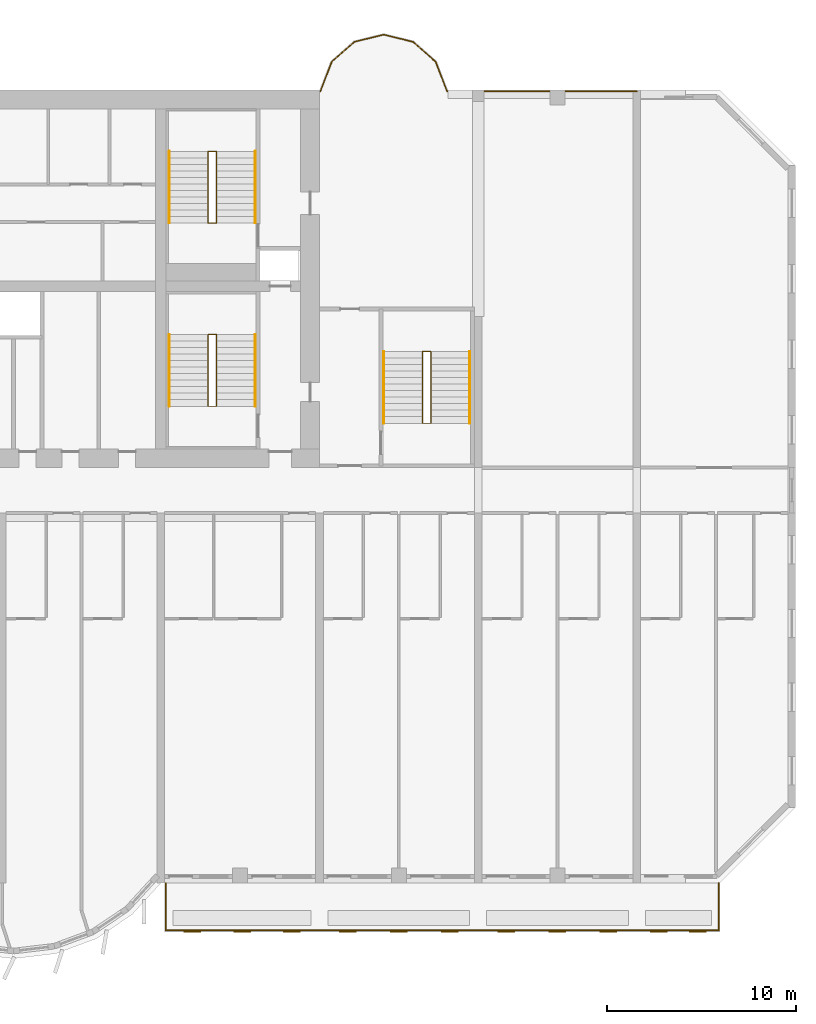
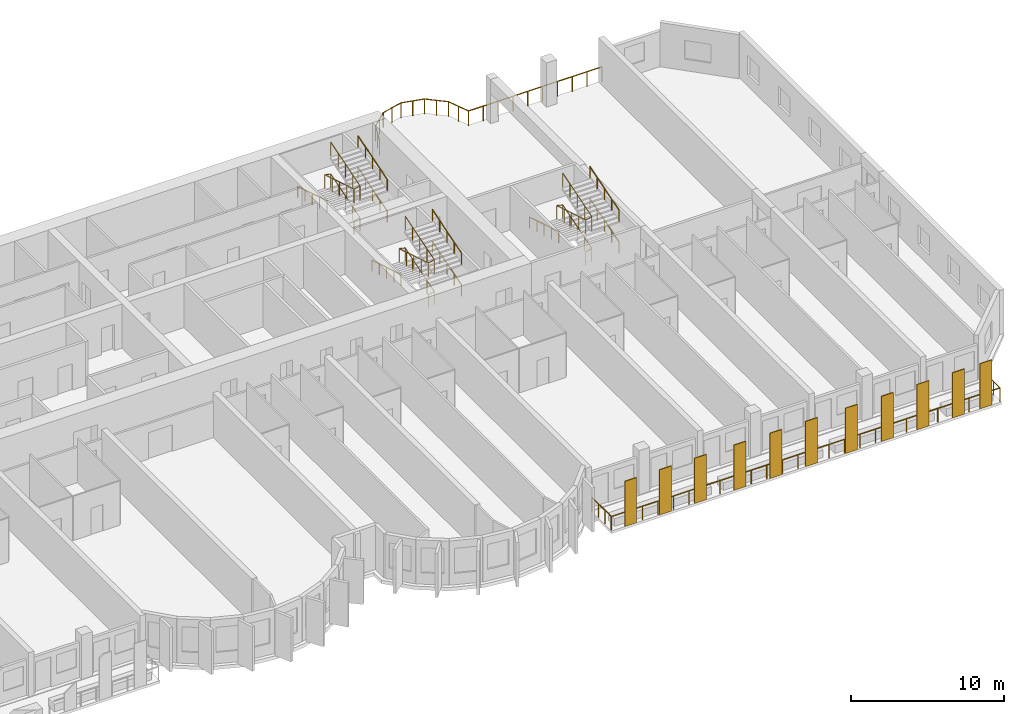
# One storey, part 13 of 14: 14 railings, 11 coverings.
"""IFC4 building model written with IfcOpenShell, lengths in metres."""

from ifc_helpers import new_model, si_unit, direction, frame, origin, origin_2d, place, context, subcontext, project, spatial, rectangle, circle, extrude, source, transform, mapped, material, layer, layer_set, type_object, element, save


model = new_model("IFC4")

# Units and contexts
model_context = context("Model", 3, precision=1e-05, world=origin(), true_north=direction((0.0, 1.0)))
body_context = subcontext(model_context, "Body", "Model", "MODEL_VIEW")
ifc_project = project(units=[si_unit("LENGTHUNIT", "METRE"), si_unit("AREAUNIT", "SQUARE_METRE"), si_unit("VOLUMEUNIT", "CUBIC_METRE"), si_unit("PLANEANGLEUNIT", "RADIAN"), si_unit("MASSUNIT", "GRAM", prefix="KILO")], contexts=[model_context])

# Site, building, storey
site_placement = place(None, origin())
site = spatial("IfcSite", under=ifc_project, at=site_placement, CompositionType="ELEMENT")
building_placement = place(site_placement, origin())
building = spatial("IfcBuilding", under=site, at=building_placement, Name="Vanashikhar Sky Hotel", CompositionType="ELEMENT")
storey_placement = place(building_placement, frame((0.0, 0.0, 58.199951171875)))
storey = spatial("IfcBuildingStorey", under=building, at=storey_placement, Name="L13", CompositionType="ELEMENT", Elevation=58.199951171875)

# Railing
ifc_material_1 = material(Name="Stainless steel 316", Category="steel")
railing_type_1 = type_object("IfcRailingType", Name="Balcony guard 1100", PredefinedType="GUARDRAIL", material=ifc_material_1)
shared_shape_1 = source(origin(), body_context, "Body", "SweptSolid", [
    extrude(circle(Radius=0.02392578125, at=origin_2d()), frame((0.0, 0.0, 1.076171875), z_axis=(0.0, -1.0, 0.0), x_axis=(1.0, 0.0, 0.0)), (0.0, 0.0, 1.0), 2.5),
    extrude(circle(Radius=0.02392578125, at=origin_2d()), frame((0.0, -2.5, 1.076171875), z_axis=(1.0, 0.0, 0.0), x_axis=(0.0, 1.0, 0.0)), (0.0, 0.0, 1.0), 29.280029296875),
    extrude(circle(Radius=0.02392578125, at=origin_2d()), frame((29.280029296875, -2.5, 1.076171875), z_axis=(0.0, 1.0, 0.0), x_axis=(-1.0, 0.0, 0.0)), (0.0, 0.0, 1.0), 2.5),
    extrude(circle(Radius=0.02099609375, at=origin_2d()), origin(), (0.0, 0.0, 1.0), 1.052001953125),
    extrude(circle(Radius=0.02099609375, at=origin_2d()), frame((0.0, -0.833251953125, 0.0)), (0.0, 0.0, 1.0), 1.052001953125),
    extrude(circle(Radius=0.02099609375, at=origin_2d()), frame((0.0, -1.666748046875, 0.0)), (0.0, 0.0, 1.0), 1.052001953125),
    extrude(circle(Radius=0.02099609375, at=origin_2d()), frame((0.0, -2.5, 0.0)), (0.0, 0.0, 1.0), 1.052001953125),
    extrude(circle(Radius=0.02099609375, at=origin_2d()), frame((1.171142578125, -2.5, 0.0)), (0.0, 0.0, 1.0), 1.052001953125),
    extrude(circle(Radius=0.02099609375, at=origin_2d()), frame((2.34228515625, -2.5, 0.0)), (0.0, 0.0, 1.0), 1.052001953125),
    extrude(circle(Radius=0.02099609375, at=origin_2d()), frame((3.513671875, -2.5, 0.0)), (0.0, 0.0, 1.0), 1.052001953125),
    extrude(circle(Radius=0.02099609375, at=origin_2d()), frame((4.684814453125, -2.5, 0.0)), (0.0, 0.0, 1.0), 1.052001953125),
    extrude(circle(Radius=0.02099609375, at=origin_2d()), frame((5.85595703125, -2.5, 0.0)), (0.0, 0.0, 1.0), 1.052001953125),
    extrude(circle(Radius=0.02099609375, at=origin_2d()), frame((7.027099609375, -2.5, 0.0)), (0.0, 0.0, 1.0), 1.052001953125),
    extrude(circle(Radius=0.02099609375, at=origin_2d()), frame((8.198486328125, -2.5, 0.0)), (0.0, 0.0, 1.0), 1.052001953125),
    extrude(circle(Radius=0.02099609375, at=origin_2d()), frame((9.36962890625, -2.5, 0.0)), (0.0, 0.0, 1.0), 1.052001953125),
    extrude(circle(Radius=0.02099609375, at=origin_2d()), frame((10.540771484375, -2.5, 0.0)), (0.0, 0.0, 1.0), 1.052001953125),
    extrude(circle(Radius=0.02099609375, at=origin_2d()), frame((11.7119140625, -2.5, 0.0)), (0.0, 0.0, 1.0), 1.052001953125),
    extrude(circle(Radius=0.02099609375, at=origin_2d()), frame((12.88330078125, -2.5, 0.0)), (0.0, 0.0, 1.0), 1.052001953125),
    extrude(circle(Radius=0.02099609375, at=origin_2d()), frame((14.054443359375, -2.5, 0.0)), (0.0, 0.0, 1.0), 1.052001953125),
    extrude(circle(Radius=0.02099609375, at=origin_2d()), frame((15.2255859375, -2.5, 0.0)), (0.0, 0.0, 1.0), 1.052001953125),
    extrude(circle(Radius=0.02099609375, at=origin_2d()), frame((16.396728515625, -2.5, 0.0)), (0.0, 0.0, 1.0), 1.052001953125),
    extrude(circle(Radius=0.02099609375, at=origin_2d()), frame((17.568115234375, -2.5, 0.0)), (0.0, 0.0, 1.0), 1.052001953125),
    extrude(circle(Radius=0.02099609375, at=origin_2d()), frame((18.7392578125, -2.5, 0.0)), (0.0, 0.0, 1.0), 1.052001953125),
    extrude(circle(Radius=0.02099609375, at=origin_2d()), frame((19.910400390625, -2.5, 0.0)), (0.0, 0.0, 1.0), 1.052001953125),
    extrude(circle(Radius=0.02099609375, at=origin_2d()), frame((21.08154296875, -2.5, 0.0)), (0.0, 0.0, 1.0), 1.052001953125),
    extrude(circle(Radius=0.02099609375, at=origin_2d()), frame((22.2529296875, -2.5, 0.0)), (0.0, 0.0, 1.0), 1.052001953125),
    extrude(circle(Radius=0.02099609375, at=origin_2d()), frame((23.424072265625, -2.5, 0.0)), (0.0, 0.0, 1.0), 1.052001953125),
    extrude(circle(Radius=0.02099609375, at=origin_2d()), frame((24.59521484375, -2.5, 0.0)), (0.0, 0.0, 1.0), 1.052001953125),
    extrude(circle(Radius=0.02099609375, at=origin_2d()), frame((25.766357421875, -2.5, 0.0)), (0.0, 0.0, 1.0), 1.052001953125),
    extrude(circle(Radius=0.02099609375, at=origin_2d()), frame((26.937744140625, -2.5, 0.0)), (0.0, 0.0, 1.0), 1.052001953125),
    extrude(circle(Radius=0.02099609375, at=origin_2d()), frame((28.10888671875, -2.5, 0.0)), (0.0, 0.0, 1.0), 1.052001953125),
    extrude(circle(Radius=0.02099609375, at=origin_2d()), frame((29.280029296875, -2.5, 0.0)), (0.0, 0.0, 1.0), 1.052001953125),
    extrude(circle(Radius=0.02099609375, at=origin_2d()), frame((29.280029296875, -1.666748046875, 0.0)), (0.0, 0.0, 1.0), 1.052001953125),
    extrude(circle(Radius=0.02099609375, at=origin_2d()), frame((29.280029296875, -0.833251953125, 0.0)), (0.0, 0.0, 1.0), 1.052001953125),
    extrude(circle(Radius=0.02099609375, at=origin_2d()), frame((29.280029296875, 0.0, 0.0)), (0.0, 0.0, 1.0), 1.052001953125),
])
railing_1_placement = place(storey_placement, frame((67.4599609375, 0.0, -0.050048828125)))
element("IfcRailing", 1, at=railing_1_placement, inside=storey, type_object=railing_type_1, Name="Balcony guard", PredefinedType="GUARDRAIL", context=body_context, shape_type="MappedRepresentation", body=[
    mapped(shared_shape_1, transform((0.0, 0.0, 0.0), scale=1.0)),
])

# Coverings
ifc_material_2 = material(Name="Terracotta", Category="masonry")
ifc_layer = layer(ifc_material_2, 0.06005859375)
ifc_layer_set = layer_set([ifc_layer], Name="Terracotta baguette screen")
covering_type = type_object("IfcCoveringType", Name="Terracotta baguette screen", PredefinedType="CLADDING", material=ifc_layer_set)
shared_shape_2 = source(origin(), body_context, "Body", "SweptSolid", [
    extrude(rectangle(XDim=0.89990234375, YDim=0.06005859375, at=origin_2d()), origin(), (0.0, 0.0, 1.0), 3.60009765625),
])
for number, where, z_axis, x_axis, name in (
    (2, (68.86669921875, -2.570068359375, -0.050048828125), (0.0, 0.0, 1.0), (1.0, 0.0, 0.0), "Terracotta screen"),
    (3, (71.5, -2.570068359375, -0.050048828125), (0.0, 0.0, 1.0), (1.0, 0.0, 0.0), "Terracotta screen"),
    (4, (74.13330078125, -2.570068359375, -0.050048828125), (0.0, 0.0, 1.0), (1.0, 0.0, 0.0), "Terracotta screen"),
    (5, (77.10009765625, -2.570068359375, -0.050048828125), (0.0, 0.0, 1.0), (1.0, 0.0, 0.0), "Terracotta screen"),
    (6, (79.800048828125, -2.570068359375, -0.050048828125), (0.0, 0.0, 1.0), (1.0, 0.0, 0.0), "Terracotta screen"),
    (7, (82.5, -2.570068359375, -0.050048828125), (0.0, 0.0, 1.0), (1.0, 0.0, 0.0), "Terracotta screen"),
    (8, (85.5, -2.570068359375, -0.050048828125), (0.0, 0.0, 1.0), (1.0, 0.0, 0.0), "Terracotta screen"),
    (9, (88.199951171875, -2.570068359375, -0.050048828125), (0.0, 0.0, 1.0), (1.0, 0.0, 0.0), "Terracotta screen"),
    (10, (90.89990234375, -2.570068359375, -0.050048828125), (0.0, 0.0, 1.0), (1.0, 0.0, 0.0), "Terracotta screen"),
    (11, (93.574951171875, -2.570068359375, -0.050048828125), (0.0, 0.0, 1.0), (1.0, 0.0, 0.0), "Terracotta screen"),
    (12, (95.625, -2.570068359375, -0.050048828125), (0.0, 0.0, 1.0), (1.0, 0.0, 0.0), "Terracotta screen"),
):
    element("IfcCovering", number, at=place(storey_placement, frame(where, z_axis=z_axis, x_axis=x_axis)), inside=storey, type_object=covering_type, Name=name, PredefinedType="CLADDING", context=body_context, shape_type="MappedRepresentation", body=[
        mapped(shared_shape_2, transform((0.0, 0.0, 0.0), scale=1.0)),
    ])

# Railings
railing_type_2 = type_object("IfcRailingType", Name="Refuge terrace guard 1200", PredefinedType="GUARDRAIL", material=ifc_material_1)
shared_shape_3 = source(origin(), body_context, "Body", "SweptSolid", [
    extrude(circle(Radius=0.02392578125, at=origin_2d()), frame((0.0, 0.0, 1.17578125), z_axis=(-1.0, 0.0, 0.0), x_axis=(0.0, -1.0, 0.0)), (0.0, 0.0, 1.0), 10.048095703125),
    extrude(circle(Radius=0.02392578125, at=origin_2d()), frame((-10.048095703125, 0.0, 1.17578125), z_axis=(-0.357682612009, 0.933843214392, 0.0), x_axis=(-0.933843214392, -0.357682612009, 0.0)), (0.0, 0.0, 1.0), 1.666015625),
    extrude(circle(Radius=0.02392578125, at=origin_2d()), frame((-10.64404296875, 1.555908203125, 1.17578125), z_axis=(-0.749699987355, 0.661777854692, 0.0), x_axis=(-0.661777854692, -0.749699987355, 0.0)), (0.0, 0.0, 1.0), 1.602294921875),
    extrude(circle(Radius=0.02392578125, at=origin_2d()), frame((-11.84521484375, 2.6162109375, 1.17578125), z_axis=(-0.971138901218, 0.238514642196, 0.0), x_axis=(-0.238514642196, -0.971138901218, 0.0)), (0.0, 0.0, 1.0), 1.600830078125),
    extrude(circle(Radius=0.02392578125, at=origin_2d()), frame((-13.39990234375, 2.998046875, 1.17578125), z_axis=(-0.971138901218, -0.238514642196, 0.0), x_axis=(0.238514642196, -0.971138901218, 0.0)), (0.0, 0.0, 1.0), 1.600830078125),
    extrude(circle(Radius=0.02392578125, at=origin_2d()), frame((-14.95458984375, 2.6162109375, 1.17578125), z_axis=(-0.749699987355, -0.661777854692, 0.0), x_axis=(0.661777854692, -0.749699987355, 0.0)), (0.0, 0.0, 1.0), 1.602294921875),
    extrude(circle(Radius=0.02392578125, at=origin_2d()), frame((-16.15576171875, 1.555908203125, 1.17578125), z_axis=(-0.357682612009, -0.933843214392, 0.0), x_axis=(0.933843214392, -0.357682612009, 0.0)), (0.0, 0.0, 1.0), 1.666015625),
    extrude(circle(Radius=0.02099609375, at=origin_2d()), origin(), (0.0, 0.0, 1.0), 1.15185546875),
    extrude(circle(Radius=0.02099609375, at=origin_2d()), frame((-1.116455078125, 0.0, 0.0)), (0.0, 0.0, 1.0), 1.15185546875),
    extrude(circle(Radius=0.02099609375, at=origin_2d()), frame((-2.23291015625, 0.0, 0.0)), (0.0, 0.0, 1.0), 1.15185546875),
    extrude(circle(Radius=0.02099609375, at=origin_2d()), frame((-3.349365234375, 0.0, 0.0)), (0.0, 0.0, 1.0), 1.15185546875),
    extrude(circle(Radius=0.02099609375, at=origin_2d()), frame((-4.4658203125, 0.0, 0.0)), (0.0, 0.0, 1.0), 1.15185546875),
    extrude(circle(Radius=0.02099609375, at=origin_2d()), frame((-5.582275390625, 0.0, 0.0)), (0.0, 0.0, 1.0), 1.15185546875),
    extrude(circle(Radius=0.02099609375, at=origin_2d()), frame((-6.69873046875, 0.0, 0.0)), (0.0, 0.0, 1.0), 1.15185546875),
    extrude(circle(Radius=0.02099609375, at=origin_2d()), frame((-7.815185546875, 0.0, 0.0)), (0.0, 0.0, 1.0), 1.15185546875),
    extrude(circle(Radius=0.02099609375, at=origin_2d()), frame((-8.931640625, 0.0, 0.0)), (0.0, 0.0, 1.0), 1.15185546875),
    extrude(circle(Radius=0.02099609375, at=origin_2d()), frame((-10.048095703125, 0.0, 0.0)), (0.0, 0.0, 1.0), 1.15185546875),
    extrude(circle(Radius=0.02099609375, at=origin_2d()), frame((-10.34619140625, 0.77783203125, 0.0)), (0.0, 0.0, 1.0), 1.15185546875),
    extrude(circle(Radius=0.02099609375, at=origin_2d()), frame((-10.64404296875, 1.555908203125, 0.0)), (0.0, 0.0, 1.0), 1.15185546875),
    extrude(circle(Radius=0.02099609375, at=origin_2d()), frame((-11.24462890625, 2.0859375, 0.0)), (0.0, 0.0, 1.0), 1.15185546875),
    extrude(circle(Radius=0.02099609375, at=origin_2d()), frame((-11.84521484375, 2.6162109375, 0.0)), (0.0, 0.0, 1.0), 1.15185546875),
    extrude(circle(Radius=0.02099609375, at=origin_2d()), frame((-12.62255859375, 2.80712890625, 0.0)), (0.0, 0.0, 1.0), 1.15185546875),
    extrude(circle(Radius=0.02099609375, at=origin_2d()), frame((-13.39990234375, 2.998046875, 0.0)), (0.0, 0.0, 1.0), 1.15185546875),
    extrude(circle(Radius=0.02099609375, at=origin_2d()), frame((-14.17724609375, 2.80712890625, 0.0)), (0.0, 0.0, 1.0), 1.15185546875),
    extrude(circle(Radius=0.02099609375, at=origin_2d()), frame((-14.95458984375, 2.6162109375, 0.0)), (0.0, 0.0, 1.0), 1.15185546875),
    extrude(circle(Radius=0.02099609375, at=origin_2d()), frame((-15.55517578125, 2.0859375, 0.0)), (0.0, 0.0, 1.0), 1.15185546875),
    extrude(circle(Radius=0.02099609375, at=origin_2d()), frame((-16.15576171875, 1.555908203125, 0.0)), (0.0, 0.0, 1.0), 1.15185546875),
    extrude(circle(Radius=0.02099609375, at=origin_2d()), frame((-16.45361328125, 0.77783203125, 0.0)), (0.0, 0.0, 1.0), 1.15185546875),
    extrude(circle(Radius=0.02099609375, at=origin_2d()), frame((-16.751708984375, 0.0, 0.0)), (0.0, 0.0, 1.0), 1.15185546875),
])
railing_2_placement = place(storey_placement, frame((92.39990234375, 41.929931640625, 0.0)))
element("IfcRailing", 13, at=railing_2_placement, inside=storey, type_object=railing_type_2, Name="Refuge terrace guard", PredefinedType="GUARDRAIL", context=body_context, shape_type="MappedRepresentation", body=[
    mapped(shared_shape_3, transform((0.0, 0.0, 0.0), scale=1.0)),
])
ifc_material_3 = material(Name="Steel S355", Category="steel")
railing_type_3 = type_object("IfcRailingType", Name="Stair handrail 900", PredefinedType="HANDRAIL", material=ifc_material_3)
shared_shape_4 = source(origin(), body_context, "Body", "SweptSolid", [
    extrude(circle(Radius=0.02392578125, at=origin_2d()), frame((0.0, 0.0, 0.8759765625), z_axis=(0.0, 0.95635109408, 0.292220096591), x_axis=(-1.0, 0.0, 0.0)), (0.0, 0.0, 1.0), 3.973388671875),
    extrude(circle(Radius=0.02099609375, at=origin_2d()), origin(), (0.0, 0.0, 1.0), 0.851806640625),
    extrude(circle(Radius=0.02099609375, at=origin_2d()), frame((0.0, 0.949951171875, 0.290283203125)), (0.0, 0.0, 1.0), 0.851806640625),
    extrude(circle(Radius=0.02099609375, at=origin_2d()), frame((0.0, 1.89990234375, 0.58056640625)), (0.0, 0.0, 1.0), 0.851806640625),
    extrude(circle(Radius=0.02099609375, at=origin_2d()), frame((0.0, 2.85009765625, 0.870849609375)), (0.0, 0.0, 1.0), 0.851806640625),
    extrude(circle(Radius=0.02099609375, at=origin_2d()), frame((0.0, 3.800048828125, 1.1611328125)), (0.0, 0.0, 1.0), 0.851806640625),
])
for number, where, name in (
    (14, (72.199951171875, 25.25, 2.638916015625), "Exit stair 2 handrail"),
    (15, (72.199951171875, 34.949951171875, 2.638916015625), "Exit stair 6 handrail"),
):
    element("IfcRailing", number, at=place(storey_placement, frame(where)), inside=storey, type_object=railing_type_3, Name=name, PredefinedType="HANDRAIL", context=body_context, shape_type="MappedRepresentation", body=[
        mapped(shared_shape_4, transform((0.0, 0.0, 0.0), scale=1.0)),
    ])
shared_shape_5 = source(origin(), body_context, "Body", "SweptSolid", [
    extrude(circle(Radius=0.02392578125, at=origin_2d()), frame((0.0, 0.0, 0.8759765625), z_axis=(0.0, -0.95635109408, 0.292220096591), x_axis=(1.0, 0.0, 0.0)), (0.0, 0.0, 1.0), 3.973388671875),
    extrude(circle(Radius=0.02099609375, at=origin_2d()), origin(), (0.0, 0.0, 1.0), 0.851806640625),
    extrude(circle(Radius=0.02099609375, at=origin_2d()), frame((0.0, -0.949951171875, 0.290283203125)), (0.0, 0.0, 1.0), 0.851806640625),
    extrude(circle(Radius=0.02099609375, at=origin_2d()), frame((0.0, -1.89990234375, 0.58056640625)), (0.0, 0.0, 1.0), 0.851806640625),
    extrude(circle(Radius=0.02099609375, at=origin_2d()), frame((0.0, -2.85009765625, 0.870849609375)), (0.0, 0.0, 1.0), 0.851806640625),
    extrude(circle(Radius=0.02099609375, at=origin_2d()), frame((0.0, -3.800048828125, 1.1611328125)), (0.0, 0.0, 1.0), 0.851806640625),
])
for number, where, name in (
    (16, (67.64990234375, 29.050048828125, 1.372314453125), "Exit stair 2 handrail"),
    (17, (67.64990234375, 38.75, 1.372314453125), "Exit stair 6 handrail"),
):
    element("IfcRailing", number, at=place(storey_placement, frame(where)), inside=storey, type_object=railing_type_3, Name=name, PredefinedType="HANDRAIL", context=body_context, shape_type="MappedRepresentation", body=[
        mapped(shared_shape_5, transform((0.0, 0.0, 0.0), scale=1.0)),
    ])
shared_shape_6 = source(origin(), body_context, "Body", "SweptSolid", [
    extrude(circle(Radius=0.02392578125, at=origin_2d()), frame((0.0, 0.0, 0.8759765625), z_axis=(0.0, 0.956368263741, 0.292163899395), x_axis=(-1.0, 0.0, 0.0)), (0.0, 0.0, 1.0), 3.973388671875),
    extrude(circle(Radius=0.02099609375, at=origin_2d()), origin(), (0.0, 0.0, 1.0), 0.851806640625),
    extrude(circle(Radius=0.02099609375, at=origin_2d()), frame((0.0, 0.949951171875, 0.290283203125)), (0.0, 0.0, 1.0), 0.851806640625),
    extrude(circle(Radius=0.02099609375, at=origin_2d()), frame((0.0, 1.89990234375, 0.58056640625)), (0.0, 0.0, 1.0), 0.851806640625),
    extrude(circle(Radius=0.02099609375, at=origin_2d()), frame((0.0, 2.85009765625, 0.87060546875)), (0.0, 0.0, 1.0), 0.851806640625),
    extrude(circle(Radius=0.02099609375, at=origin_2d()), frame((0.0, 3.800048828125, 1.160888671875)), (0.0, 0.0, 1.0), 0.851806640625),
])
for number, where, name in (
    (18, (72.199951171875, 25.25, 0.105712890625), "Exit stair 2 handrail"),
    (19, (72.199951171875, 34.949951171875, 0.105712890625), "Exit stair 6 handrail"),
):
    element("IfcRailing", number, at=place(storey_placement, frame(where)), inside=storey, type_object=railing_type_3, Name=name, PredefinedType="HANDRAIL", context=body_context, shape_type="MappedRepresentation", body=[
        mapped(shared_shape_6, transform((0.0, 0.0, 0.0), scale=1.0)),
    ])
railing_type_4 = type_object("IfcRailingType", Name="Stair guard 1100", PredefinedType="GUARDRAIL", material=ifc_material_3)
shared_shape_7 = source(origin(), body_context, "Body", "SweptSolid", [
    extrude(circle(Radius=0.02392578125, at=origin_2d()), frame((0.0, 0.0, 1.076171875), z_axis=(0.973493315427, 0.0, 0.228715466945), x_axis=(0.0, 1.0, 0.0)), (0.0, 0.0, 1.0), 0.462158203125),
    extrude(circle(Radius=0.02392578125, at=origin_2d()), frame((0.449951171875, 0.0, 1.181640625), z_axis=(0.0, 0.956368263741, 0.292163899395), x_axis=(-1.0, 0.0, 0.0)), (0.0, 0.0, 1.0), 3.973388671875),
    extrude(circle(Radius=0.02392578125, at=origin_2d()), frame((0.449951171875, 3.800048828125, 2.3427734375), z_axis=(-0.973493315427, 0.0, 0.228715466945), x_axis=(0.0, -1.0, 0.0)), (0.0, 0.0, 1.0), 0.462158203125),
    extrude(circle(Radius=0.02392578125, at=origin_2d()), frame((0.0, 3.800048828125, 2.4482421875), z_axis=(0.0, -0.95635109408, 0.292220096591), x_axis=(1.0, 0.0, 0.0)), (0.0, 0.0, 1.0), 3.973388671875),
    extrude(circle(Radius=0.02392578125, at=origin_2d()), frame((0.0, 0.0, 3.609375), z_axis=(0.973610808694, 0.0, 0.228214796178), x_axis=(0.0, 1.0, 0.0)), (0.0, 0.0, 1.0), 0.462158203125),
    extrude(circle(Radius=0.02392578125, at=origin_2d()), frame((0.449951171875, 0.0, 3.71484375), z_axis=(0.0, 0.95635109408, 0.292220096591), x_axis=(-1.0, 0.0, 0.0)), (0.0, 0.0, 1.0), 3.973388671875),
    extrude(circle(Radius=0.02099609375, at=origin_2d()), origin(), (0.0, 0.0, 1.0), 1.052001953125),
    extrude(circle(Radius=0.02099609375, at=origin_2d()), frame((0.449951171875, 0.0, 0.105712890625)), (0.0, 0.0, 1.0), 1.052001953125),
    extrude(circle(Radius=0.02099609375, at=origin_2d()), frame((0.449951171875, 0.949951171875, 0.39599609375)), (0.0, 0.0, 1.0), 1.052001953125),
    extrude(circle(Radius=0.02099609375, at=origin_2d()), frame((0.449951171875, 1.89990234375, 0.68603515625)), (0.0, 0.0, 1.0), 1.052001953125),
    extrude(circle(Radius=0.02099609375, at=origin_2d()), frame((0.449951171875, 2.85009765625, 0.976318359375)), (0.0, 0.0, 1.0), 1.052001953125),
    extrude(circle(Radius=0.02099609375, at=origin_2d()), frame((0.449951171875, 3.800048828125, 1.2666015625)), (0.0, 0.0, 1.0), 1.052001953125),
    extrude(circle(Radius=0.02099609375, at=origin_2d()), frame((0.0, 3.800048828125, 1.372314453125)), (0.0, 0.0, 1.0), 1.052001953125),
    extrude(circle(Radius=0.02099609375, at=origin_2d()), frame((0.0, 2.85009765625, 1.66259765625)), (0.0, 0.0, 1.0), 1.052001953125),
    extrude(circle(Radius=0.02099609375, at=origin_2d()), frame((0.0, 1.89990234375, 1.952880859375)), (0.0, 0.0, 1.0), 1.052001953125),
    extrude(circle(Radius=0.02099609375, at=origin_2d()), frame((0.0, 0.949951171875, 2.2431640625)), (0.0, 0.0, 1.0), 1.052001953125),
    extrude(circle(Radius=0.02099609375, at=origin_2d()), frame((0.0, 0.0, 2.533447265625)), (0.0, 0.0, 1.0), 1.052001953125),
    extrude(circle(Radius=0.02099609375, at=origin_2d()), frame((0.449951171875, 0.0, 2.638916015625)), (0.0, 0.0, 1.0), 1.052001953125),
    extrude(circle(Radius=0.02099609375, at=origin_2d()), frame((0.449951171875, 0.949951171875, 2.92919921875)), (0.0, 0.0, 1.0), 1.052001953125),
    extrude(circle(Radius=0.02099609375, at=origin_2d()), frame((0.449951171875, 1.89990234375, 3.219482421875)), (0.0, 0.0, 1.0), 1.052001953125),
    extrude(circle(Radius=0.02099609375, at=origin_2d()), frame((0.449951171875, 2.85009765625, 3.509765625)), (0.0, 0.0, 1.0), 1.052001953125),
    extrude(circle(Radius=0.02099609375, at=origin_2d()), frame((0.449951171875, 3.800048828125, 3.800048828125)), (0.0, 0.0, 1.0), 1.052001953125),
])
for number, where, name in (
    (20, (69.699951171875, 25.25, 0.0), "Exit stair 2 guard"),
    (21, (69.699951171875, 34.949951171875, 0.0), "Exit stair 6 guard"),
):
    element("IfcRailing", number, at=place(storey_placement, frame(where)), inside=storey, type_object=railing_type_4, Name=name, PredefinedType="GUARDRAIL", context=body_context, shape_type="MappedRepresentation", body=[
        mapped(shared_shape_7, transform((0.0, 0.0, 0.0), scale=1.0)),
    ])
shared_shape_8 = source(origin(), body_context, "Body", "SweptSolid", [
    extrude(circle(Radius=0.02392578125, at=origin_2d()), frame((0.0, 0.0, 0.8759765625), z_axis=(0.0, 0.956345846891, 0.292237268557), x_axis=(-1.0, 0.0, 0.0)), (0.0, 0.0, 1.0), 3.97314453125),
    extrude(circle(Radius=0.02099609375, at=origin_2d()), origin(), (0.0, 0.0, 1.0), 0.851806640625),
    extrude(circle(Radius=0.02099609375, at=origin_2d()), frame((0.0, 0.949951171875, 0.290283203125)), (0.0, 0.0, 1.0), 0.851806640625),
    extrude(circle(Radius=0.02099609375, at=origin_2d()), frame((0.0, 1.89990234375, 0.58056640625)), (0.0, 0.0, 1.0), 0.851806640625),
    extrude(circle(Radius=0.02099609375, at=origin_2d()), frame((0.0, 2.849853515625, 0.870849609375)), (0.0, 0.0, 1.0), 0.851806640625),
    extrude(circle(Radius=0.02099609375, at=origin_2d()), frame((0.0, 3.7998046875, 1.1611328125)), (0.0, 0.0, 1.0), 0.851806640625),
])
railing_3_placement = place(storey_placement, frame((83.550048828125, 24.35009765625, 2.638916015625)))
element("IfcRailing", 22, at=railing_3_placement, inside=storey, type_object=railing_type_3, Name="Exit stair 4 handrail", PredefinedType="HANDRAIL", context=body_context, shape_type="MappedRepresentation", body=[
    mapped(shared_shape_8, transform((0.0, 0.0, 0.0), scale=1.0)),
])
shared_shape_9 = source(origin(), body_context, "Body", "SweptSolid", [
    extrude(circle(Radius=0.02392578125, at=origin_2d()), frame((0.0, 0.0, 0.8759765625), z_axis=(0.0, -0.956345846891, 0.292237268557), x_axis=(1.0, 0.0, 0.0)), (0.0, 0.0, 1.0), 3.97314453125),
    extrude(circle(Radius=0.02099609375, at=origin_2d()), origin(), (0.0, 0.0, 1.0), 0.851806640625),
    extrude(circle(Radius=0.02099609375, at=origin_2d()), frame((0.0, -0.949951171875, 0.290283203125)), (0.0, 0.0, 1.0), 0.851806640625),
    extrude(circle(Radius=0.02099609375, at=origin_2d()), frame((0.0, -1.89990234375, 0.58056640625)), (0.0, 0.0, 1.0), 0.851806640625),
    extrude(circle(Radius=0.02099609375, at=origin_2d()), frame((0.0, -2.849853515625, 0.870849609375)), (0.0, 0.0, 1.0), 0.851806640625),
    extrude(circle(Radius=0.02099609375, at=origin_2d()), frame((0.0, -3.7998046875, 1.1611328125)), (0.0, 0.0, 1.0), 0.851806640625),
])
railing_4_placement = place(storey_placement, frame((79.0, 28.14990234375, 1.372314453125)))
element("IfcRailing", 23, at=railing_4_placement, inside=storey, type_object=railing_type_3, Name="Exit stair 4 handrail", PredefinedType="HANDRAIL", context=body_context, shape_type="MappedRepresentation", body=[
    mapped(shared_shape_9, transform((0.0, 0.0, 0.0), scale=1.0)),
])
shared_shape_10 = source(origin(), body_context, "Body", "SweptSolid", [
    extrude(circle(Radius=0.02392578125, at=origin_2d()), frame((0.0, 0.0, 1.076171875), z_axis=(0.973493315427, 0.0, 0.228715466945), x_axis=(0.0, 1.0, 0.0)), (0.0, 0.0, 1.0), 0.462158203125),
    extrude(circle(Radius=0.02392578125, at=origin_2d()), frame((0.449951171875, 0.0, 1.181640625), z_axis=(0.0, 0.956363018476, 0.292181068675), x_axis=(-1.0, 0.0, 0.0)), (0.0, 0.0, 1.0), 3.97314453125),
    extrude(circle(Radius=0.02392578125, at=origin_2d()), frame((0.449951171875, 3.7998046875, 2.3427734375), z_axis=(-0.973493315427, 0.0, 0.228715466945), x_axis=(0.0, -1.0, 0.0)), (0.0, 0.0, 1.0), 0.462158203125),
    extrude(circle(Radius=0.02392578125, at=origin_2d()), frame((0.0, 3.7998046875, 2.4482421875), z_axis=(0.0, -0.956345846891, 0.292237268557), x_axis=(1.0, 0.0, 0.0)), (0.0, 0.0, 1.0), 3.97314453125),
    extrude(circle(Radius=0.02392578125, at=origin_2d()), frame((0.0, 0.0, 3.609375), z_axis=(0.973610808694, 0.0, 0.228214796178), x_axis=(0.0, 1.0, 0.0)), (0.0, 0.0, 1.0), 0.462158203125),
    extrude(circle(Radius=0.02392578125, at=origin_2d()), frame((0.449951171875, 0.0, 3.71484375), z_axis=(0.0, 0.956345846891, 0.292237268557), x_axis=(-1.0, 0.0, 0.0)), (0.0, 0.0, 1.0), 3.97314453125),
    extrude(circle(Radius=0.02099609375, at=origin_2d()), origin(), (0.0, 0.0, 1.0), 1.052001953125),
    extrude(circle(Radius=0.02099609375, at=origin_2d()), frame((0.449951171875, 0.0, 0.105712890625)), (0.0, 0.0, 1.0), 1.052001953125),
    extrude(circle(Radius=0.02099609375, at=origin_2d()), frame((0.449951171875, 0.949951171875, 0.39599609375)), (0.0, 0.0, 1.0), 1.052001953125),
    extrude(circle(Radius=0.02099609375, at=origin_2d()), frame((0.449951171875, 1.89990234375, 0.68603515625)), (0.0, 0.0, 1.0), 1.052001953125),
    extrude(circle(Radius=0.02099609375, at=origin_2d()), frame((0.449951171875, 2.849853515625, 0.976318359375)), (0.0, 0.0, 1.0), 1.052001953125),
    extrude(circle(Radius=0.02099609375, at=origin_2d()), frame((0.449951171875, 3.7998046875, 1.2666015625)), (0.0, 0.0, 1.0), 1.052001953125),
    extrude(circle(Radius=0.02099609375, at=origin_2d()), frame((0.0, 3.7998046875, 1.372314453125)), (0.0, 0.0, 1.0), 1.052001953125),
    extrude(circle(Radius=0.02099609375, at=origin_2d()), frame((0.0, 2.849853515625, 1.66259765625)), (0.0, 0.0, 1.0), 1.052001953125),
    extrude(circle(Radius=0.02099609375, at=origin_2d()), frame((0.0, 1.89990234375, 1.952880859375)), (0.0, 0.0, 1.0), 1.052001953125),
    extrude(circle(Radius=0.02099609375, at=origin_2d()), frame((0.0, 0.949951171875, 2.2431640625)), (0.0, 0.0, 1.0), 1.052001953125),
    extrude(circle(Radius=0.02099609375, at=origin_2d()), frame((0.0, 0.0, 2.533447265625)), (0.0, 0.0, 1.0), 1.052001953125),
    extrude(circle(Radius=0.02099609375, at=origin_2d()), frame((0.449951171875, 0.0, 2.638916015625)), (0.0, 0.0, 1.0), 1.052001953125),
    extrude(circle(Radius=0.02099609375, at=origin_2d()), frame((0.449951171875, 0.949951171875, 2.92919921875)), (0.0, 0.0, 1.0), 1.052001953125),
    extrude(circle(Radius=0.02099609375, at=origin_2d()), frame((0.449951171875, 1.89990234375, 3.219482421875)), (0.0, 0.0, 1.0), 1.052001953125),
    extrude(circle(Radius=0.02099609375, at=origin_2d()), frame((0.449951171875, 2.849853515625, 3.509765625)), (0.0, 0.0, 1.0), 1.052001953125),
    extrude(circle(Radius=0.02099609375, at=origin_2d()), frame((0.449951171875, 3.7998046875, 3.800048828125)), (0.0, 0.0, 1.0), 1.052001953125),
])
railing_5_placement = place(storey_placement, frame((81.050048828125, 24.35009765625, 0.0)))
element("IfcRailing", 24, at=railing_5_placement, inside=storey, type_object=railing_type_4, Name="Exit stair 4 guard", PredefinedType="GUARDRAIL", context=body_context, shape_type="MappedRepresentation", body=[
    mapped(shared_shape_10, transform((0.0, 0.0, 0.0), scale=1.0)),
])
shared_shape_11 = source(origin(), body_context, "Body", "SweptSolid", [
    extrude(circle(Radius=0.02392578125, at=origin_2d()), frame((0.0, 0.0, 0.8759765625), z_axis=(0.0, 0.956363018476, 0.292181068675), x_axis=(-1.0, 0.0, 0.0)), (0.0, 0.0, 1.0), 3.97314453125),
    extrude(circle(Radius=0.02099609375, at=origin_2d()), origin(), (0.0, 0.0, 1.0), 0.851806640625),
    extrude(circle(Radius=0.02099609375, at=origin_2d()), frame((0.0, 0.949951171875, 0.290283203125)), (0.0, 0.0, 1.0), 0.851806640625),
    extrude(circle(Radius=0.02099609375, at=origin_2d()), frame((0.0, 1.89990234375, 0.58056640625)), (0.0, 0.0, 1.0), 0.851806640625),
    extrude(circle(Radius=0.02099609375, at=origin_2d()), frame((0.0, 2.849853515625, 0.87060546875)), (0.0, 0.0, 1.0), 0.851806640625),
    extrude(circle(Radius=0.02099609375, at=origin_2d()), frame((0.0, 3.7998046875, 1.160888671875)), (0.0, 0.0, 1.0), 0.851806640625),
])
railing_6_placement = place(storey_placement, frame((83.550048828125, 24.35009765625, 0.105712890625)))
element("IfcRailing", 25, at=railing_6_placement, inside=storey, type_object=railing_type_3, Name="Exit stair 4 handrail", PredefinedType="HANDRAIL", context=body_context, shape_type="MappedRepresentation", body=[
    mapped(shared_shape_11, transform((0.0, 0.0, 0.0), scale=1.0)),
])

save(model, "model.ifc")
